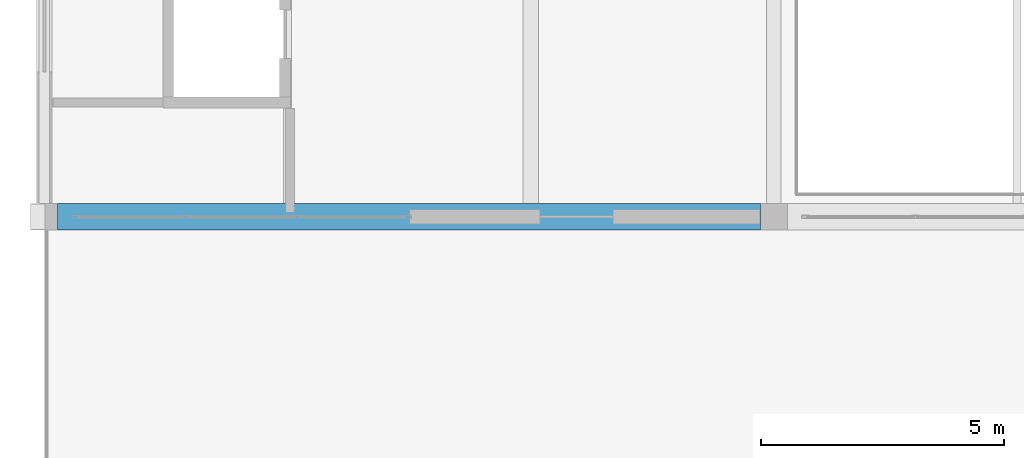
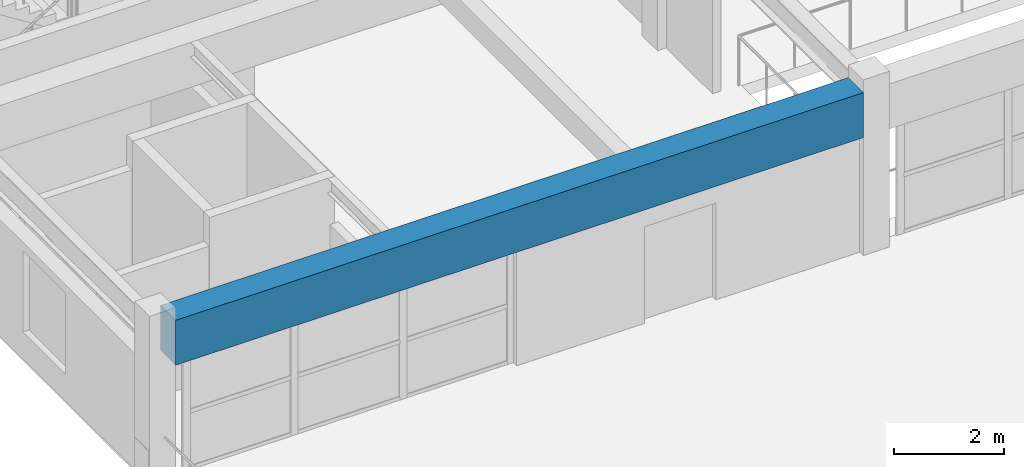
# One storey, part 3 of 101: 1 beam.
"""IFC4 building model written with IfcOpenShell, lengths in metres."""

from ifc_helpers import new_model, si_unit, direction, frame, origin, origin_2d, place, context, subcontext, project, spatial, rectangle, extrude, material, material_profile, profile_set, type_object, element, save


model = new_model("IFC4")

# Units and contexts
model_context = context("Model", 3, precision=1e-05, world=origin(), true_north=direction((0.0, 1.0)))
body_context = subcontext(model_context, "Body", "Model", "MODEL_VIEW")
ifc_project = project(units=[si_unit("LENGTHUNIT", "METRE"), si_unit("AREAUNIT", "SQUARE_METRE"), si_unit("VOLUMEUNIT", "CUBIC_METRE"), si_unit("PLANEANGLEUNIT", "RADIAN"), si_unit("MASSUNIT", "GRAM", prefix="KILO")], contexts=[model_context])

# Site, building, storey
site_placement = place(None, origin())
site = spatial("IfcSite", under=ifc_project, at=site_placement, CompositionType="ELEMENT")
building_placement = place(site_placement, origin())
building = spatial("IfcBuilding", under=site, at=building_placement, Name="Qasida Concert Hall", CompositionType="ELEMENT")
storey_placement = place(building_placement, frame((0.0, 0.0, 13.199951171875)))
storey = spatial("IfcBuildingStorey", under=building, at=storey_placement, Name="L03", CompositionType="ELEMENT", Elevation=13.199951171875)

# Beam
ifc_material = material(Name="Concrete C40/50", Category="concrete")
ifc_material_profile = material_profile(ifc_material, rectangle(XDim=0.550048828125, YDim=1.0, at=origin_2d()), Name="RC 550x1000")
ifc_profile_set = profile_set([ifc_material_profile], Name="Concrete C40/50")
beam_type = type_object("IfcBeamType", Name="BM-G3", PredefinedType="USERDEFINED", material=ifc_profile_set)
beam_placement = place(storey_placement, frame((0.27490234375, 15.0, 3.1201171875), z_axis=(1.0, 0.0, 0.0), x_axis=(0.0, 1.0, 0.0)))
element("IfcBeam", 1, at=beam_placement, inside=storey, type_object=beam_type, Name="Primary girder 1598", ObjectType="GIRDER", PredefinedType="USERDEFINED", context=body_context, shape_type="SweptSolid", body=[
    extrude(rectangle(XDim=0.550048828125, YDim=1.0, at=origin_2d()), origin(), (0.0, 0.0, 1.0), 14.4501953125),
])

save(model, "model.ifc")
